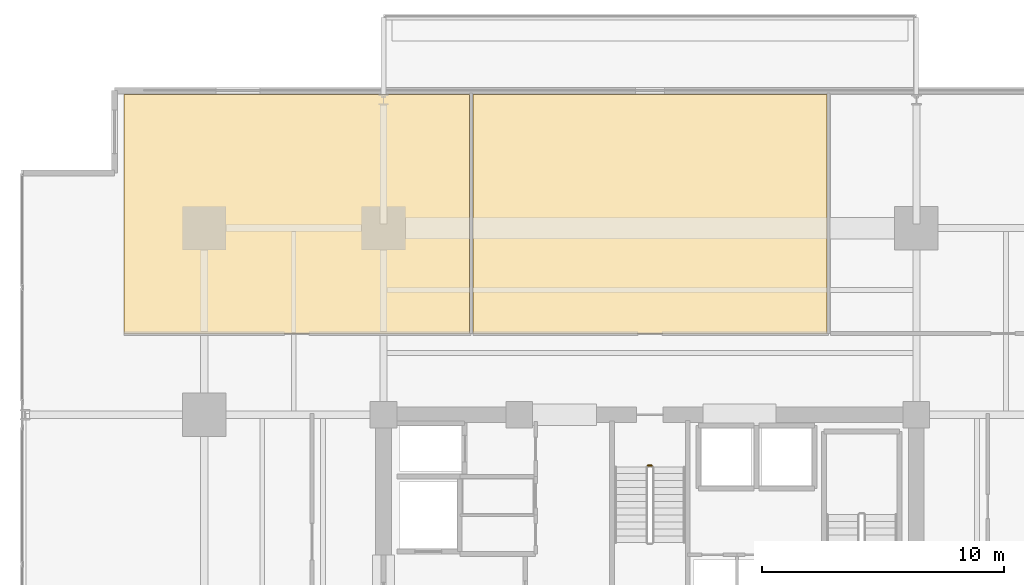
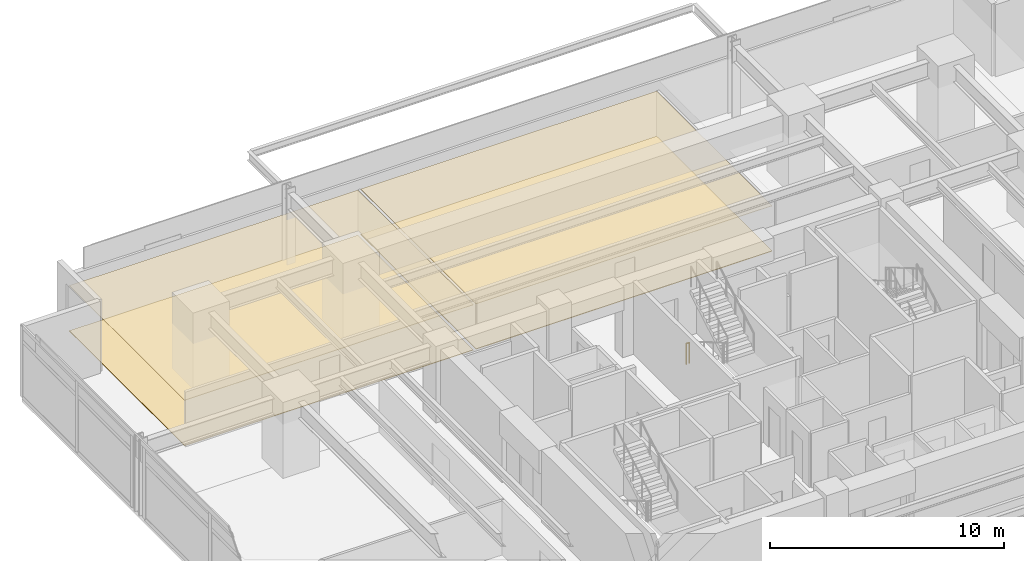
# One storey, part 22 of 23: 4 coverings, 1 railing.
"""IFC4 building model written with IfcOpenShell, lengths in metres."""

from ifc_helpers import new_model, si_unit, direction, frame, origin, origin_2d, place, context, subcontext, project, spatial, polyline, circle, outline, extrude, material, layer, layer_set, type_object, element, save


model = new_model("IFC4")

# Units and contexts
model_context = context("Model", 3, precision=1e-05, world=origin(), true_north=direction((0.0, 1.0)))
body_context = subcontext(model_context, "Body", "Model", "MODEL_VIEW")
ifc_project = project(units=[si_unit("LENGTHUNIT", "METRE"), si_unit("AREAUNIT", "SQUARE_METRE"), si_unit("VOLUMEUNIT", "CUBIC_METRE"), si_unit("PLANEANGLEUNIT", "RADIAN"), si_unit("MASSUNIT", "GRAM", prefix="KILO")], contexts=[model_context])

# Site, building, storey
site_placement = place(None, origin())
site = spatial("IfcSite", under=ifc_project, at=site_placement, CompositionType="ELEMENT")
building_placement = place(site_placement, origin())
building = spatial("IfcBuilding", under=site, at=building_placement, Name="Kovane Verandah Tower", CompositionType="ELEMENT")
storey_placement = place(building_placement, frame((0.0, 0.0, 63.60009765625)))
storey = spatial("IfcBuildingStorey", under=building, at=storey_placement, Name="L14", CompositionType="ELEMENT", Elevation=63.60009765625)

# Coverings
ifc_material_1 = material(Name="Perforated Acoustic Mineral-Fibre Ceiling Tile", Category="gypsum")
ifc_layer_1 = layer(ifc_material_1, 0.02490234375)
ifc_layer_set_1 = layer_set([ifc_layer_1], Name="Perforated Acoustic Mineral-Fibre Ceiling Tile")
covering_type_1 = type_object("IfcCoveringType", Name="CV-CEIL-25", PredefinedType="CEILING", material=ifc_layer_set_1)
covering_1_placement = place(storey_placement, frame((0.0, 0.0, 2.364990234375)))
element("IfcCovering", 1, at=covering_1_placement, inside=storey, type_object=covering_type_1, Name="L14 Meeting Room N1 Acoustic Ceiling", PredefinedType="CEILING", context=body_context, shape_type="SweptSolid", body=[
    extrude(outline(polyline([(18.29296875, 39.85009765625), (32.549560546875, 39.85009765625), (32.549560546875, 49.72509765625), (18.29296875, 49.72509765625), (18.29296875, 39.85009765625)])), origin(), (0.0, 0.0, 1.0), 0.02490234375),
])
covering_2_placement = place(storey_placement, frame((0.0, 0.0, 2.364990234375)))
element("IfcCovering", 2, at=covering_2_placement, inside=storey, type_object=covering_type_1, Name="L14 Focus Studio N2 Acoustic Ceiling", PredefinedType="CEILING", context=body_context, shape_type="SweptSolid", body=[
    extrude(outline(polyline([(32.689697265625, 39.85009765625), (47.310302734375, 39.85009765625), (47.310302734375, 49.72509765625), (32.689697265625, 49.72509765625), (32.689697265625, 39.85009765625)])), origin(), (0.0, 0.0, 1.0), 0.02490234375),
])
ifc_material_2 = material(Name="Polished Terrazzo and Raised-Access Carpet Tile Finish", Category="concrete")
ifc_layer_2 = layer(ifc_material_2, 0.030029296875)
ifc_layer_set_2 = layer_set([ifc_layer_2], Name="Polished Terrazzo and Raised-Access Carpet Tile Finish")
covering_type_2 = type_object("IfcCoveringType", Name="CV-FLOR-30", PredefinedType="FLOORING", material=ifc_layer_set_2)
covering_3_placement = place(storey_placement, origin())
element("IfcCovering", 3, at=covering_3_placement, inside=storey, type_object=covering_type_2, Name="L14 Meeting Room N1 Floor Finish", PredefinedType="FLOORING", context=body_context, shape_type="SweptSolid", body=[
    extrude(outline(polyline([(18.29296875, 39.85009765625), (32.549560546875, 39.85009765625), (32.549560546875, 49.72509765625), (18.29296875, 49.72509765625), (18.29296875, 39.85009765625)])), origin(), (0.0, 0.0, 1.0), 0.02978515625),
])
covering_4_placement = place(storey_placement, origin())
element("IfcCovering", 4, at=covering_4_placement, inside=storey, type_object=covering_type_2, Name="L14 Focus Studio N2 Floor Finish", PredefinedType="FLOORING", context=body_context, shape_type="SweptSolid", body=[
    extrude(outline(polyline([(32.689697265625, 39.85009765625), (47.310302734375, 39.85009765625), (47.310302734375, 49.72509765625), (32.689697265625, 49.72509765625), (32.689697265625, 39.85009765625)])), origin(), (0.0, 0.0, 1.0), 0.02978515625),
])

# Railing
ifc_material_3 = material(Name="Painted Steel Stairwell Guardrail", Category="steel")
railing_type = type_object("IfcRailingType", Name="RL-STGUARD-1120", PredefinedType="GUARDRAIL", material=ifc_material_3)
railing_placement = place(storey_placement, frame((39.919921875, 34.39990234375, 0.0)))
element("IfcRailing", 5, at=railing_placement, inside=storey, type_object=railing_type, Name="L14 ST-03 stair guard 4", PredefinedType="GUARDRAIL", context=body_context, shape_type="SweptSolid", body=[
    extrude(circle(Radius=0.02392578125, at=origin_2d()), frame((0.0, 0.0, 1.076171875), z_axis=(1.0, 0.0, 0.0), x_axis=(0.0, 1.0, 0.0)), (0.0, 0.0, 1.0), 0.16015625),
    extrude(circle(Radius=0.02099609375, at=origin_2d()), origin(), (0.0, 0.0, 1.0), 1.052001953125),
    extrude(circle(Radius=0.02099609375, at=origin_2d()), frame((0.16015625, 0.0, 0.0)), (0.0, 0.0, 1.0), 1.052001953125),
])

save(model, "model.ifc")
